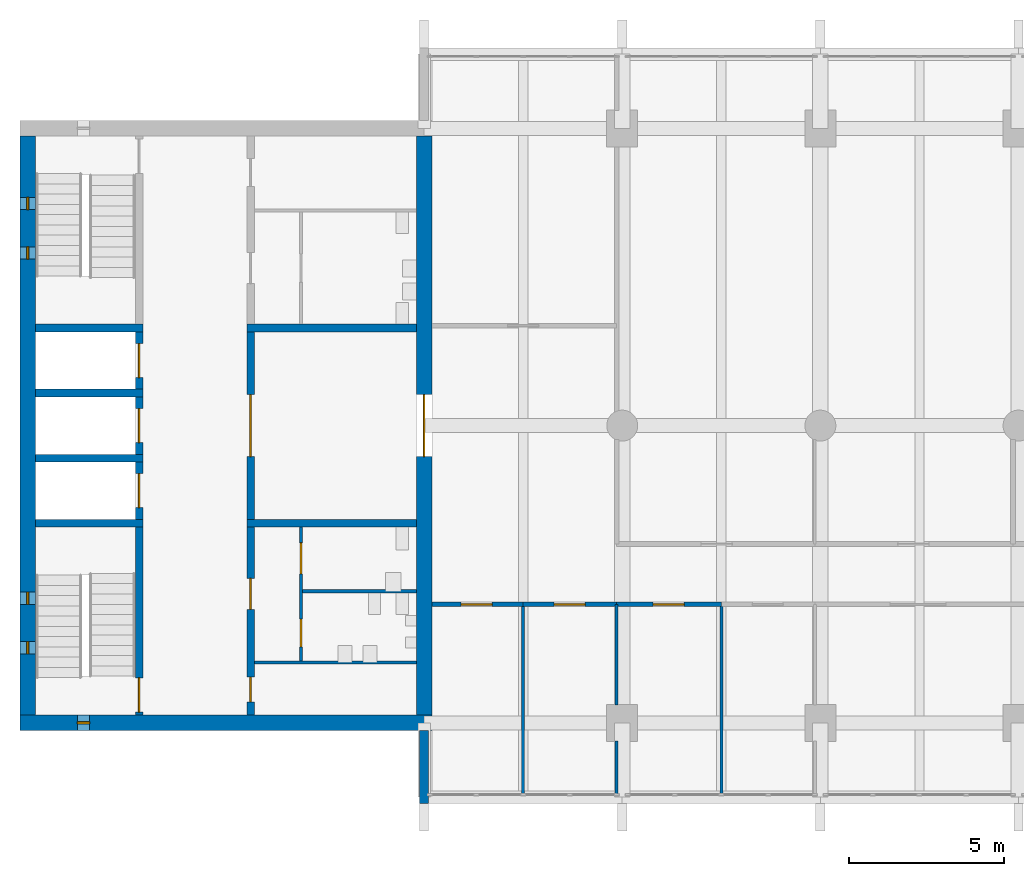
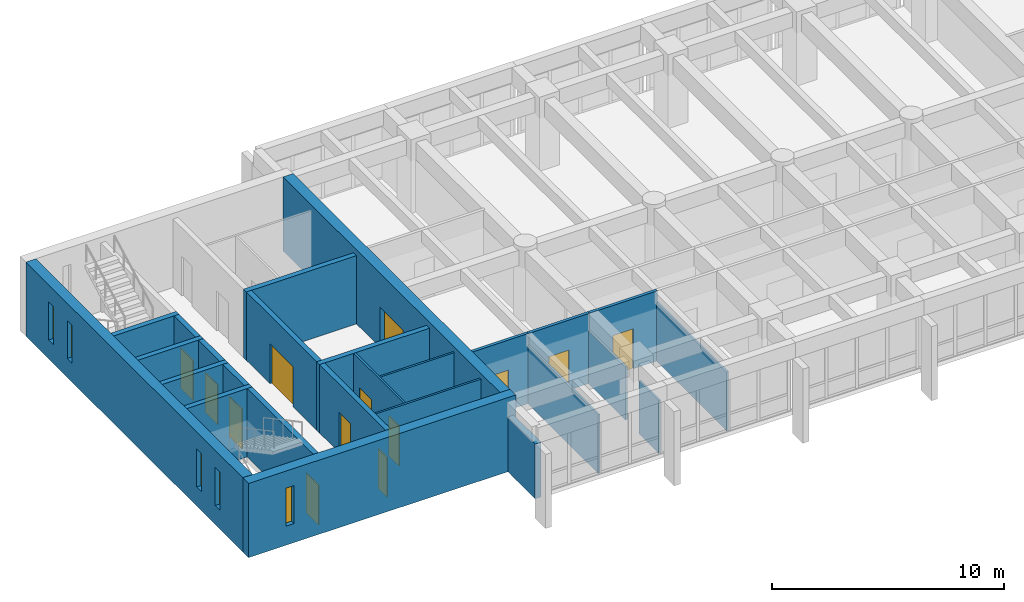
# One storey, part 9 of 15: 26 walls, 13 doors, 5 windows, 18 openings.
"""IFC4 building model written with IfcOpenShell, lengths in metres."""

from ifc_helpers import new_model, si_unit, direction, frame, frame_2d, origin, place, context, subcontext, project, spatial, rectangle, extrude, material, layer, layer_set, type_object, element, fill, save


model = new_model("IFC4")

# Units and contexts
model_context = context("Model", 3, precision=1e-05, world=origin(), true_north=direction((0.0, 1.0)))
body_context = subcontext(model_context, "Body", "Model", "MODEL_VIEW")
ifc_project = project(units=[si_unit("LENGTHUNIT", "METRE"), si_unit("AREAUNIT", "SQUARE_METRE"), si_unit("VOLUMEUNIT", "CUBIC_METRE"), si_unit("PLANEANGLEUNIT", "RADIAN"), si_unit("MASSUNIT", "GRAM", prefix="KILO")], contexts=[model_context])

# Site, building, storey
site_placement = place(None, origin())
site = spatial("IfcSite", under=ifc_project, at=site_placement, CompositionType="ELEMENT")
building_placement = place(site_placement, origin())
building = spatial("IfcBuilding", under=site, at=building_placement, Name="Fogon Plaza Fire Station and Headquarters Tower", CompositionType="ELEMENT")
storey_placement = place(building_placement, frame((0.0, 0.0, 28.800048828125)))
storey = spatial("IfcBuildingStorey", under=building, at=storey_placement, Name="L07", CompositionType="ELEMENT", Elevation=28.800048828125)

# Walls
ifc_material_1 = material(Name="Concrete C40", Category="concrete")
ifc_layer_1 = layer(ifc_material_1, 0.25)
ifc_layer_set_1 = layer_set([ifc_layer_1], Name="Concrete C40")
wall_type_1 = type_object("IfcWallType", Name="Core Wall RC 250", PredefinedType="SOLIDWALL", material=ifc_layer_set_1)
for number, where, z_axis, x_axis, name in (
    (1, (13.050048828125, 40.050048828125, 0.0), (0.0, 0.0, 1.0), (1.0, 0.0, 0.0), "Core A shaft wall"),
    (2, (13.050048828125, 42.14990234375, 0.0), (0.0, 0.0, 1.0), (1.0, 0.0, 0.0), "Core A shaft wall"),
    (3, (13.050048828125, 44.25, 0.0), (0.0, 0.0, 1.0), (1.0, 0.0, 0.0), "Core A shaft wall"),
    (4, (13.050048828125, 46.35009765625, 0.0), (0.0, 0.0, 1.0), (1.0, 0.0, 0.0), "Core A shaft wall"),
):
    element("IfcWall", number, at=place(storey_placement, frame(where, z_axis=z_axis, x_axis=x_axis)), inside=storey, type_object=wall_type_1, Name=name, PredefinedType="SOLIDWALL", context=body_context, shape_type="SweptSolid", body=[
        extrude(rectangle(XDim=3.474853515625, YDim=0.25, at=frame_2d((1.7373046875, 0.0))), origin(), (0.0, 0.0, 1.0), 3.599853515625),
    ])

# Wall, opening, door
wall_1_placement = place(storey_placement, frame((16.39990234375, 33.85009765625, 0.0), z_axis=(0.0, 0.0, 1.0), x_axis=(0.0, 1.0, 0.0)))
wall_1 = element("IfcWall", 5, at=wall_1_placement, inside=storey, type_object=wall_type_1, Name="Core A shaft wall", PredefinedType="SOLIDWALL", context=body_context, shape_type="SweptSolid", body=[
    extrude(rectangle(XDim=6.074951171875, YDim=0.25, at=frame_2d((3.03759765625, 0.0))), origin(), (0.0, 0.0, 1.0), 3.599853515625),
])
opening_1_placement = place(wall_1_placement, frame((0.10009765625, 0.0, 0.0)))
opening_1 = element("IfcOpeningElement", 6, at=opening_1_placement, cuts=wall_1, Name="Opening L07-D01", PredefinedType="OPENING", context=body_context, shape_type="SweptSolid", body=[
    extrude(rectangle(XDim=1.10009765625, YDim=2.10009765625, at=frame_2d((0.550048828125, 1.050048828125))), frame((0.0, 0.135009765625, 0.0), z_axis=(0.0, -1.0, 0.0), x_axis=(1.0, 0.0, 0.0)), (0.0, 0.0, 1.0), 0.27001953125),
])
ifc_material_2 = material(Name="Steel Fire Door Leaf", Category="steel")
door_type_1 = type_object("IfcDoorType", Name="Stair Door Single 1100x2100", OperationType="SINGLE_SWING_LEFT", PredefinedType="DOOR", material=ifc_material_2)
door_1_placement = place(opening_1_placement, origin())
door_1 = element("IfcDoor", 7, at=door_1_placement, inside=storey, type_object=door_type_1, Name="Stair door ST1", OperationType="SINGLE_SWING_LEFT", OverallHeight=2.10009765625, OverallWidth=1.10009765625, PredefinedType="DOOR", context=body_context, shape_type="SweptSolid", body=[
    extrude(rectangle(XDim=1.10009765625, YDim=2.10009765625, at=frame_2d((0.550048828125, 1.050048828125))), frame((0.0, 0.02490234375, 0.0), z_axis=(0.0, -1.0, 0.0), x_axis=(1.0, 0.0, 0.0)), (0.0, 0.0, 1.0), 0.050048828125),
])
fill(opening_1, door_1)

wall_2_placement = place(storey_placement, frame((16.39990234375, 40.175048828125, 0.0), z_axis=(0.0, 0.0, 1.0), x_axis=(0.0, 1.0, 0.0)))
wall_2 = element("IfcWall", 8, at=wall_2_placement, inside=storey, type_object=wall_type_1, Name="Core A shaft wall", PredefinedType="SOLIDWALL", context=body_context, shape_type="SweptSolid", body=[
    extrude(rectangle(XDim=1.849853515625, YDim=0.25, at=frame_2d((0.9248046875, 0.0))), origin(), (0.0, 0.0, 1.0), 3.599853515625),
])
opening_2_placement = place(wall_2_placement, frame((0.375, 0.0, 0.0)))
opening_2 = element("IfcOpeningElement", 9, at=opening_2_placement, cuts=wall_2, Name="Opening L07-D03", PredefinedType="OPENING", context=body_context, shape_type="SweptSolid", body=[
    extrude(rectangle(XDim=1.10009765625, YDim=2.10009765625, at=frame_2d((0.550048828125, 1.050048828125))), frame((0.0, 0.135009765625, 0.0), z_axis=(0.0, -1.0, 0.0), x_axis=(1.0, 0.0, 0.0)), (0.0, 0.0, 1.0), 0.27001953125),
])
ifc_material_3 = material(Name="Stainless Steel", Category="steel")
door_type_2 = type_object("IfcDoorType", Name="Lift Landing Door 1100x2100", OperationType="SLIDING_TO_LEFT", PredefinedType="DOOR", material=ifc_material_3)
door_2_placement = place(opening_2_placement, origin())
door_2 = element("IfcDoor", 10, at=door_2_placement, inside=storey, type_object=door_type_2, Name="Lift LP1 landing door", OperationType="SLIDING_TO_LEFT", OverallHeight=2.10009765625, OverallWidth=1.10009765625, PredefinedType="DOOR", context=body_context, shape_type="SweptSolid", body=[
    extrude(rectangle(XDim=1.10009765625, YDim=2.10009765625, at=frame_2d((0.550048828125, 1.050048828125))), frame((0.0, 0.02490234375, 0.0), z_axis=(0.0, -1.0, 0.0), x_axis=(1.0, 0.0, 0.0)), (0.0, 0.0, 1.0), 0.050048828125),
])
fill(opening_2, door_2)

wall_3_placement = place(storey_placement, frame((16.39990234375, 42.27490234375, 0.0), z_axis=(0.0, 0.0, 1.0), x_axis=(0.0, 1.0, 0.0)))
wall_3 = element("IfcWall", 11, at=wall_3_placement, inside=storey, type_object=wall_type_1, Name="Core A shaft wall", PredefinedType="SOLIDWALL", context=body_context, shape_type="SweptSolid", body=[
    extrude(rectangle(XDim=1.85009765625, YDim=0.25, at=frame_2d((0.925048828125, 0.0))), origin(), (0.0, 0.0, 1.0), 3.599853515625),
])
opening_3_placement = place(wall_3_placement, frame((0.375, 0.0, 0.0)))
opening_3 = element("IfcOpeningElement", 12, at=opening_3_placement, cuts=wall_3, Name="Opening L07-D04", PredefinedType="OPENING", context=body_context, shape_type="SweptSolid", body=[
    extrude(rectangle(XDim=1.10009765625, YDim=2.10009765625, at=frame_2d((0.550048828125, 1.050048828125))), frame((0.0, 0.135009765625, 0.0), z_axis=(0.0, -1.0, 0.0), x_axis=(1.0, 0.0, 0.0)), (0.0, 0.0, 1.0), 0.27001953125),
])
door_3_placement = place(opening_3_placement, origin())
door_3 = element("IfcDoor", 13, at=door_3_placement, inside=storey, type_object=door_type_2, Name="Lift LP2 landing door", OperationType="SLIDING_TO_LEFT", OverallHeight=2.10009765625, OverallWidth=1.10009765625, PredefinedType="DOOR", context=body_context, shape_type="SweptSolid", body=[
    extrude(rectangle(XDim=1.10009765625, YDim=2.10009765625, at=frame_2d((0.550048828125, 1.050048828125))), frame((0.0, 0.02490234375, 0.0), z_axis=(0.0, -1.0, 0.0), x_axis=(1.0, 0.0, 0.0)), (0.0, 0.0, 1.0), 0.050048828125),
])
fill(opening_3, door_3)

wall_4_placement = place(storey_placement, frame((16.39990234375, 44.375, 0.0), z_axis=(0.0, 0.0, 1.0), x_axis=(0.0, 1.0, 0.0)))
wall_4 = element("IfcWall", 14, at=wall_4_placement, inside=storey, type_object=wall_type_1, Name="Core A shaft wall", PredefinedType="SOLIDWALL", context=body_context, shape_type="SweptSolid", body=[
    extrude(rectangle(XDim=1.85009765625, YDim=0.25, at=frame_2d((0.925048828125, 0.0))), origin(), (0.0, 0.0, 1.0), 3.599853515625),
])
opening_4_placement = place(wall_4_placement, frame((0.375, 0.0, 0.0)))
opening_4 = element("IfcOpeningElement", 15, at=opening_4_placement, cuts=wall_4, Name="Opening L07-D05", PredefinedType="OPENING", context=body_context, shape_type="SweptSolid", body=[
    extrude(rectangle(XDim=1.10009765625, YDim=2.10009765625, at=frame_2d((0.550048828125, 1.050048828125))), frame((0.0, 0.135009765625, 0.0), z_axis=(0.0, -1.0, 0.0), x_axis=(1.0, 0.0, 0.0)), (0.0, 0.0, 1.0), 0.27001953125),
])
door_4_placement = place(opening_4_placement, origin())
door_4 = element("IfcDoor", 16, at=door_4_placement, inside=storey, type_object=door_type_2, Name="Lift FL1 landing door", OperationType="SLIDING_TO_LEFT", OverallHeight=2.10009765625, OverallWidth=1.10009765625, PredefinedType="DOOR", context=body_context, shape_type="SweptSolid", body=[
    extrude(rectangle(XDim=1.10009765625, YDim=2.10009765625, at=frame_2d((0.550048828125, 1.050048828125))), frame((0.0, 0.02490234375, 0.0), z_axis=(0.0, -1.0, 0.0), x_axis=(1.0, 0.0, 0.0)), (0.0, 0.0, 1.0), 0.050048828125),
])
fill(opening_4, door_4)

# Wall, openings, doors
wall_5_placement = place(storey_placement, frame((20.0, 33.85009765625, 0.0), z_axis=(0.0, 0.0, 1.0), x_axis=(0.0, 1.0, 0.0)))
wall_5 = element("IfcWall", 17, at=wall_5_placement, inside=storey, type_object=wall_type_1, Name="Core A shaft wall", PredefinedType="SOLIDWALL", context=body_context, shape_type="SweptSolid", body=[
    extrude(rectangle(XDim=6.074951171875, YDim=0.25, at=frame_2d((3.03759765625, 0.0))), origin(), (0.0, 0.0, 1.0), 3.599853515625),
])
opening_5_placement = place(wall_5_placement, frame((0.425048828125, 0.0, 0.0)))
opening_5 = element("IfcOpeningElement", 18, at=opening_5_placement, cuts=wall_5, Name="Opening L07-D08", PredefinedType="OPENING", context=body_context, shape_type="SweptSolid", body=[
    extrude(rectangle(XDim=0.800048828125, YDim=2.10009765625, at=frame_2d((0.39990234375, 1.050048828125))), frame((0.0, 0.135009765625, 0.0), z_axis=(0.0, -1.0, 0.0), x_axis=(1.0, 0.0, 0.0)), (0.0, 0.0, 1.0), 0.27001953125),
])
opening_6_placement = place(wall_5_placement, frame((3.41259765625, 0.0, 0.0)))
opening_6 = element("IfcOpeningElement", 19, at=opening_6_placement, cuts=wall_5, Name="Opening L07-D09", PredefinedType="OPENING", context=body_context, shape_type="SweptSolid", body=[
    extrude(rectangle(XDim=1.0, YDim=2.10009765625, at=frame_2d((0.5, 1.050048828125))), frame((0.0, 0.135009765625, 0.0), z_axis=(0.0, -1.0, 0.0), x_axis=(1.0, 0.0, 0.0)), (0.0, 0.0, 1.0), 0.27001953125),
])
ifc_material_4 = material(Name="Timber Door Leaf", Category="wood")
door_type_3 = type_object("IfcDoorType", Name="Cleaner Store Single 800x2100", OperationType="SINGLE_SWING_LEFT", PredefinedType="DOOR", material=ifc_material_4)
door_5_placement = place(opening_5_placement, frame((0.800048828125, 0.0, 0.0), z_axis=(0.0, 0.0, 1.0), x_axis=(-1.0, 0.0, 0.0)))
door_5 = element("IfcDoor", 20, at=door_5_placement, inside=storey, type_object=door_type_3, Name="Cleaner's store A door", OperationType="SINGLE_SWING_RIGHT", OverallHeight=2.10009765625, OverallWidth=0.800048828125, PredefinedType="DOOR", context=body_context, shape_type="SweptSolid", body=[
    extrude(rectangle(XDim=0.800048828125, YDim=2.10009765625, at=frame_2d((0.39990234375, 1.050048828125))), frame((0.0, 0.02490234375, 0.0), z_axis=(0.0, -1.0, 0.0), x_axis=(1.0, 0.0, 0.0)), (0.0, 0.0, 1.0), 0.050048828125),
])
fill(opening_5, door_5)
ifc_material_5 = material(Name="Timber fire door", Category="wood")
door_type_4 = type_object("IfcDoorType", Name="WC Lobby Single 1000x2100", OperationType="SINGLE_SWING_LEFT", PredefinedType="DOOR", material=ifc_material_5)
door_6_placement = place(opening_6_placement, frame((1.0, 0.0, 0.0), z_axis=(0.0, 0.0, 1.0), x_axis=(-1.0, 0.0, 0.0)))
door_6 = element("IfcDoor", 21, at=door_6_placement, inside=storey, type_object=door_type_4, Name="Men's WC lobby A door", OperationType="SINGLE_SWING_LEFT", OverallHeight=2.10009765625, OverallWidth=1.0, PredefinedType="DOOR", context=body_context, shape_type="SweptSolid", body=[
    extrude(rectangle(XDim=1.0, YDim=2.10009765625, at=frame_2d((0.5, 1.050048828125))), frame((0.0, 0.02490234375, 0.0), z_axis=(0.0, -1.0, 0.0), x_axis=(1.0, 0.0, 0.0)), (0.0, 0.0, 1.0), 0.050048828125),
])
fill(opening_6, door_6)

# Wall, opening, door
wall_6_placement = place(storey_placement, frame((20.0, 40.175048828125, 0.0), z_axis=(0.0, 0.0, 1.0), x_axis=(0.0, 1.0, 0.0)))
wall_6 = element("IfcWall", 22, at=wall_6_placement, inside=storey, type_object=wall_type_1, Name="Core A shaft wall", PredefinedType="SOLIDWALL", context=body_context, shape_type="SweptSolid", body=[
    extrude(rectangle(XDim=6.050048828125, YDim=0.25, at=frame_2d((3.02490234375, 0.0))), origin(), (0.0, 0.0, 1.0), 3.599853515625),
])
opening_7_placement = place(wall_6_placement, frame((2.02490234375, 0.0, 0.0)))
opening_7 = element("IfcOpeningElement", 23, at=opening_7_placement, cuts=wall_6, Name="Opening L07-D06", PredefinedType="OPENING", context=body_context, shape_type="SweptSolid", body=[
    extrude(rectangle(XDim=2.0, YDim=2.10009765625, at=frame_2d((1.0, 1.050048828125))), frame((0.0, 0.135009765625, 0.0), z_axis=(0.0, -1.0, 0.0), x_axis=(1.0, 0.0, 0.0)), (0.0, 0.0, 1.0), 0.27001953125),
])
ifc_material_6 = material(Name="Steel Fire Door Leaf", Category="steel")
door_type_5 = type_object("IfcDoorType", Name="Vestibule Double 2000x2100", OperationType="DOUBLE_DOOR_SINGLE_SWING", PredefinedType="DOOR", material=ifc_material_6)
door_7_placement = place(opening_7_placement, frame((2.0, 0.0, 0.0), z_axis=(0.0, 0.0, 1.0), x_axis=(-1.0, 0.0, 0.0)))
door_7 = element("IfcDoor", 24, at=door_7_placement, inside=storey, type_object=door_type_5, Name="Vestibule A door", OperationType="DOUBLE_DOOR_SINGLE_SWING", OverallHeight=2.10009765625, OverallWidth=2.0, PredefinedType="DOOR", context=body_context, shape_type="SweptSolid", body=[
    extrude(rectangle(XDim=2.0, YDim=2.10009765625, at=frame_2d((1.0, 1.050048828125))), frame((0.0, 0.02490234375, 0.0), z_axis=(0.0, -1.0, 0.0), x_axis=(1.0, 0.0, 0.0)), (0.0, 0.0, 1.0), 0.050048828125),
])
fill(opening_7, door_7)

# Walls
for number, where, z_axis, x_axis, name in (
    (25, (19.875, 40.050048828125, 0.0), (0.0, 0.0, 1.0), (1.0, 0.0, 0.0), "Core A shaft wall"),
    (26, (19.875, 46.35009765625, 0.0), (0.0, 0.0, 1.0), (1.0, 0.0, 0.0), "Core A shaft wall"),
):
    element("IfcWall", number, at=place(storey_placement, frame(where, z_axis=z_axis, x_axis=x_axis)), inside=storey, type_object=wall_type_1, Name=name, PredefinedType="SOLIDWALL", context=body_context, shape_type="SweptSolid", body=[
        extrude(rectangle(XDim=5.47509765625, YDim=0.25, at=frame_2d((2.737548828125, 0.0))), origin(), (0.0, 0.0, 1.0), 3.599853515625),
    ])
ifc_material_7 = material(Name="Concrete C40", Category="concrete")
ifc_layer_2 = layer(ifc_material_7, 0.300048828125)
ifc_layer_set_2 = layer_set([ifc_layer_2], Name="Concrete C40")
wall_type_2 = type_object("IfcWallType", Name="Fair-faced RC Return Panel 300", PredefinedType="SOLIDWALL", material=ifc_layer_set_2)
wall_7_placement = place(storey_placement, frame((25.60009765625, 31.0, 0.0), z_axis=(0.0, 0.0, 1.0), x_axis=(0.0, 1.0, 0.0)))
element("IfcWall", 27, at=wall_7_placement, inside=storey, type_object=wall_type_2, Name="Bar end return WS L07", PredefinedType="SOLIDWALL", context=body_context, shape_type="SweptSolid", body=[
    extrude(rectangle(XDim=2.35009765625, YDim=0.300048828125, at=frame_2d((1.175048828125, 0.0))), origin(), (0.0, 0.0, 1.0), 2.8798828125),
])
ifc_material_8 = material(Name="Blockwork", Category="masonry")
ifc_layer_3 = layer(ifc_material_8, 0.10009765625)
ifc_layer_set_3 = layer_set([ifc_layer_3], Name="Blockwork")
wall_type_3 = type_object("IfcWallType", Name="Partition Blockwork 100", PredefinedType="PARTITIONING", material=ifc_layer_set_3)
wall_8_placement = place(storey_placement, frame((20.125, 35.550048828125, 0.0), z_axis=(0.0, 0.0, 1.0), x_axis=(1.0, 0.0, 0.0)))
element("IfcWall", 28, at=wall_8_placement, inside=storey, type_object=wall_type_3, Name="Cleaner's store partition", PredefinedType="PARTITIONING", context=body_context, shape_type="SweptSolid", body=[
    extrude(rectangle(XDim=5.22509765625, YDim=0.10009765625, at=frame_2d((2.612548828125, 0.0))), origin(), (0.0, 0.0, 1.0), 3.599853515625),
])

# Wall, openings, doors
wall_9_placement = place(storey_placement, frame((21.625, 35.60009765625, 0.0), z_axis=(0.0, 0.0, 1.0), x_axis=(0.0, 1.0, 0.0)))
wall_9 = element("IfcWall", 29, at=wall_9_placement, inside=storey, type_object=wall_type_3, Name="WC block partition", PredefinedType="PARTITIONING", context=body_context, shape_type="SweptSolid", body=[
    extrude(rectangle(XDim=4.324951171875, YDim=0.10009765625, at=frame_2d((2.16259765625, 0.0))), origin(), (0.0, 0.0, 1.0), 3.599853515625),
])
opening_8_placement = place(wall_9_placement, frame((0.449951171875, 0.0, 0.0)))
opening_8 = element("IfcOpeningElement", 30, at=opening_8_placement, cuts=wall_9, Name="Opening L07-D10", PredefinedType="OPENING", context=body_context, shape_type="SweptSolid", body=[
    extrude(rectangle(XDim=0.89990234375, YDim=2.10009765625, at=frame_2d((0.449951171875, 1.050048828125))), frame((0.0, 0.06005859375, 0.0), z_axis=(0.0, -1.0, 0.0), x_axis=(1.0, 0.0, 0.0)), (0.0, 0.0, 1.0), 0.1201171875),
])
opening_9_placement = place(wall_9_placement, frame((2.8125, 0.0, 0.0)))
opening_9 = element("IfcOpeningElement", 31, at=opening_9_placement, cuts=wall_9, Name="Opening L07-D11", PredefinedType="OPENING", context=body_context, shape_type="SweptSolid", body=[
    extrude(rectangle(XDim=1.0, YDim=2.10009765625, at=frame_2d((0.5, 1.050048828125))), frame((0.0, 0.06005859375, 0.0), z_axis=(0.0, -1.0, 0.0), x_axis=(1.0, 0.0, 0.0)), (0.0, 0.0, 1.0), 0.1201171875),
])
ifc_material_9 = material(Name="Timber Door Leaf", Category="wood")
door_type_6 = type_object("IfcDoorType", Name="Accessible WC Single 1000x2100", OperationType="SINGLE_SWING_LEFT", PredefinedType="DOOR", material=ifc_material_9)
door_8_placement = place(opening_9_placement, frame((1.0, 0.0, 0.0), z_axis=(0.0, 0.0, 1.0), x_axis=(-1.0, 0.0, 0.0)))
door_8 = element("IfcDoor", 32, at=door_8_placement, inside=storey, type_object=door_type_6, Name="Accessible WC A door", OperationType="SINGLE_SWING_LEFT", OverallHeight=2.10009765625, OverallWidth=1.0, PredefinedType="DOOR", context=body_context, shape_type="SweptSolid", body=[
    extrude(rectangle(XDim=1.0, YDim=2.10009765625, at=frame_2d((0.5, 1.050048828125))), frame((0.0, 0.02490234375, 0.0), z_axis=(0.0, -1.0, 0.0), x_axis=(1.0, 0.0, 0.0)), (0.0, 0.0, 1.0), 0.050048828125),
])
fill(opening_9, door_8)
ifc_material_10 = material(Name="Timber Door Leaf", Category="wood")
door_type_7 = type_object("IfcDoorType", Name="WC Single 900x2100", OperationType="SINGLE_SWING_LEFT", PredefinedType="DOOR", material=ifc_material_10)
door_9_placement = place(opening_8_placement, frame((0.89990234375, 0.0, 0.0), z_axis=(0.0, 0.0, 1.0), x_axis=(-1.0, 0.0, 0.0)))
door_9 = element("IfcDoor", 33, at=door_9_placement, inside=storey, type_object=door_type_7, Name="Men's WC A door", OperationType="SINGLE_SWING_RIGHT", OverallHeight=2.10009765625, OverallWidth=0.89990234375, PredefinedType="DOOR", context=body_context, shape_type="SweptSolid", body=[
    extrude(rectangle(XDim=0.89990234375, YDim=2.10009765625, at=frame_2d((0.449951171875, 1.050048828125))), frame((0.0, 0.02490234375, 0.0), z_axis=(0.0, -1.0, 0.0), x_axis=(1.0, 0.0, 0.0)), (0.0, 0.0, 1.0), 0.050048828125),
])
fill(opening_8, door_9)

# Wall
wall_10_placement = place(storey_placement, frame((21.675048828125, 37.85009765625, 0.0), z_axis=(0.0, 0.0, 1.0), x_axis=(1.0, 0.0, 0.0)))
element("IfcWall", 34, at=wall_10_placement, inside=storey, type_object=wall_type_3, Name="WC block partition", PredefinedType="PARTITIONING", context=body_context, shape_type="SweptSolid", body=[
    extrude(rectangle(XDim=3.675048828125, YDim=0.10009765625, at=frame_2d((1.83740234375, 0.0))), origin(), (0.0, 0.0, 1.0), 3.599853515625),
])

# Wall, opening, window
ifc_material_11 = material(Name="Concrete C40", Category="concrete")
ifc_layer_4 = layer(ifc_material_11, 0.5)
ifc_layer_set_4 = layer_set([ifc_layer_4], Name="Concrete C40")
wall_type_4 = type_object("IfcWallType", Name="Shear wall 500 SW50", PredefinedType="SHEAR", material=ifc_layer_set_4)
wall_11_placement = place(storey_placement, frame((12.550048828125, 33.60009765625, 0.0), z_axis=(0.0, 0.0, 1.0), x_axis=(1.0, 0.0, 0.0)))
wall_11 = element("IfcWall", 35, at=wall_11_placement, inside=storey, type_object=wall_type_4, Name="wall-coreA-S-L07", PredefinedType="SHEAR", context=body_context, shape_type="SweptSolid", body=[
    extrude(rectangle(XDim=13.300048828125, YDim=0.5, at=frame_2d((6.64990234375, 0.0))), origin(), (0.0, 0.0, 1.0), 3.89990234375),
])
opening_10_placement = place(wall_11_placement, frame((1.85009765625, 0.0, 1.0)))
opening_10 = element("IfcOpeningElement", 36, at=opening_10_placement, cuts=wall_11, Name="Opening WS1", PredefinedType="OPENING", context=body_context, shape_type="SweptSolid", body=[
    extrude(rectangle(XDim=0.39990234375, YDim=2.0, at=frame_2d((0.199951171875, 1.0))), frame((0.0, 0.260009765625, 0.0), z_axis=(0.0, -1.0, 0.0), x_axis=(1.0, 0.0, 0.0)), (0.0, 0.0, 1.0), 0.52001953125),
])
ifc_material_12 = material(Name="Aluminium framed double glazing", Category="aluminium")
window_type = type_object("IfcWindowType", Name="Slit Window WS1 400x2000", PartitioningType="SINGLE_PANEL", PredefinedType="WINDOW", material=ifc_material_12)
window_1_placement = place(opening_10_placement, origin())
window_1 = element("IfcWindow", 37, at=window_1_placement, inside=storey, type_object=window_type, Name="Slit window A5 L07", OverallHeight=2.0, OverallWidth=0.39990234375, PartitioningType="SINGLE_PANEL", PredefinedType="WINDOW", context=body_context, shape_type="SweptSolid", body=[
    extrude(rectangle(XDim=0.39990234375, YDim=2.0, at=frame_2d((0.199951171875, 1.0))), frame((0.0, 0.030029296875, 0.0), z_axis=(0.0, -1.0, 0.0), x_axis=(1.0, 0.0, 0.0)), (0.0, 0.0, 1.0), 0.06005859375),
])
fill(opening_10, window_1)

# Wall, opening, door
wall_12_placement = place(storey_placement, frame((25.60009765625, 33.85009765625, 0.0), z_axis=(0.0, 0.0, 1.0), x_axis=(0.0, 1.0, 0.0)))
wall_12 = element("IfcWall", 38, at=wall_12_placement, inside=storey, type_object=wall_type_4, Name="wall-coreA-E-L07", PredefinedType="SHEAR", context=body_context, shape_type="SweptSolid", body=[
    extrude(rectangle(XDim=18.699951171875, YDim=0.5, at=frame_2d((9.35009765625, 0.0))), origin(), (0.0, 0.0, 1.0), 3.89990234375),
])
opening_11_placement = place(wall_12_placement, frame((8.35009765625, 0.0, 0.0)))
opening_11 = element("IfcOpeningElement", 39, at=opening_11_placement, cuts=wall_12, Name="Opening L07-D07", PredefinedType="OPENING", context=body_context, shape_type="SweptSolid", body=[
    extrude(rectangle(XDim=2.0, YDim=2.10009765625, at=frame_2d((1.0, 1.050048828125))), frame((0.0, 0.260009765625, 0.0), z_axis=(0.0, -1.0, 0.0), x_axis=(1.0, 0.0, 0.0)), (0.0, 0.0, 1.0), 0.52001953125),
])
door_10_placement = place(opening_11_placement, origin())
door_10 = element("IfcDoor", 40, at=door_10_placement, inside=storey, type_object=door_type_5, Name="Vestibule A door to the office zone", OperationType="DOUBLE_DOOR_SINGLE_SWING", OverallHeight=2.10009765625, OverallWidth=2.0, PredefinedType="DOOR", context=body_context, shape_type="SweptSolid", body=[
    extrude(rectangle(XDim=2.0, YDim=2.10009765625, at=frame_2d((1.0, 1.050048828125))), frame((0.0, 0.02490234375, 0.0), z_axis=(0.0, -1.0, 0.0), x_axis=(1.0, 0.0, 0.0)), (0.0, 0.0, 1.0), 0.050048828125),
])
fill(opening_11, door_10)

# Wall, openings, windows
wall_13_placement = place(storey_placement, frame((12.800048828125, 33.85009765625, 0.0), z_axis=(0.0, 0.0, 1.0), x_axis=(0.0, 1.0, 0.0)))
wall_13 = element("IfcWall", 41, at=wall_13_placement, inside=storey, type_object=wall_type_4, Name="wall-coreA-W-L07", PredefinedType="SHEAR", context=body_context, shape_type="SweptSolid", body=[
    extrude(rectangle(XDim=18.699951171875, YDim=0.5, at=frame_2d((9.35009765625, 0.0))), origin(), (0.0, 0.0, 1.0), 3.89990234375),
])
opening_12_placement = place(wall_13_placement, frame((1.97509765625, 0.0, 1.0)))
opening_12 = element("IfcOpeningElement", 42, at=opening_12_placement, cuts=wall_13, Name="Opening WS1", PredefinedType="OPENING", context=body_context, shape_type="SweptSolid", body=[
    extrude(rectangle(XDim=0.39990234375, YDim=2.0, at=frame_2d((0.199951171875, 1.0))), frame((0.0, 0.260009765625, 0.0), z_axis=(0.0, -1.0, 0.0), x_axis=(1.0, 0.0, 0.0)), (0.0, 0.0, 1.0), 0.52001953125),
])
opening_13_placement = place(wall_13_placement, frame((3.574951171875, 0.0, 1.0)))
opening_13 = element("IfcOpeningElement", 43, at=opening_13_placement, cuts=wall_13, Name="Opening WS1", PredefinedType="OPENING", context=body_context, shape_type="SweptSolid", body=[
    extrude(rectangle(XDim=0.39990234375, YDim=2.0, at=frame_2d((0.199951171875, 1.0))), frame((0.0, 0.260009765625, 0.0), z_axis=(0.0, -1.0, 0.0), x_axis=(1.0, 0.0, 0.0)), (0.0, 0.0, 1.0), 0.52001953125),
])
opening_14_placement = place(wall_13_placement, frame((14.72509765625, 0.0, 1.0)))
opening_14 = element("IfcOpeningElement", 44, at=opening_14_placement, cuts=wall_13, Name="Opening WS1", PredefinedType="OPENING", context=body_context, shape_type="SweptSolid", body=[
    extrude(rectangle(XDim=0.39990234375, YDim=2.0, at=frame_2d((0.199951171875, 1.0))), frame((0.0, 0.260009765625, 0.0), z_axis=(0.0, -1.0, 0.0), x_axis=(1.0, 0.0, 0.0)), (0.0, 0.0, 1.0), 0.52001953125),
])
opening_15_placement = place(wall_13_placement, frame((16.324951171875, 0.0, 1.0)))
opening_15 = element("IfcOpeningElement", 45, at=opening_15_placement, cuts=wall_13, Name="Opening WS1", PredefinedType="OPENING", context=body_context, shape_type="SweptSolid", body=[
    extrude(rectangle(XDim=0.39990234375, YDim=2.0, at=frame_2d((0.199951171875, 1.0))), frame((0.0, 0.260009765625, 0.0), z_axis=(0.0, -1.0, 0.0), x_axis=(1.0, 0.0, 0.0)), (0.0, 0.0, 1.0), 0.52001953125),
])
window_2_placement = place(opening_12_placement, origin())
window_2 = element("IfcWindow", 46, at=window_2_placement, inside=storey, type_object=window_type, Name="Slit window A1 L07", OverallHeight=2.0, OverallWidth=0.39990234375, PartitioningType="SINGLE_PANEL", PredefinedType="WINDOW", context=body_context, shape_type="SweptSolid", body=[
    extrude(rectangle(XDim=0.39990234375, YDim=2.0, at=frame_2d((0.199951171875, 1.0))), frame((0.0, 0.030029296875, 0.0), z_axis=(0.0, -1.0, 0.0), x_axis=(1.0, 0.0, 0.0)), (0.0, 0.0, 1.0), 0.06005859375),
])
fill(opening_12, window_2)
window_3_placement = place(opening_13_placement, origin())
window_3 = element("IfcWindow", 47, at=window_3_placement, inside=storey, type_object=window_type, Name="Slit window A2 L07", OverallHeight=2.0, OverallWidth=0.39990234375, PartitioningType="SINGLE_PANEL", PredefinedType="WINDOW", context=body_context, shape_type="SweptSolid", body=[
    extrude(rectangle(XDim=0.39990234375, YDim=2.0, at=frame_2d((0.199951171875, 1.0))), frame((0.0, 0.030029296875, 0.0), z_axis=(0.0, -1.0, 0.0), x_axis=(1.0, 0.0, 0.0)), (0.0, 0.0, 1.0), 0.06005859375),
])
fill(opening_13, window_3)
window_4_placement = place(opening_14_placement, origin())
window_4 = element("IfcWindow", 48, at=window_4_placement, inside=storey, type_object=window_type, Name="Slit window A3 L07", OverallHeight=2.0, OverallWidth=0.39990234375, PartitioningType="SINGLE_PANEL", PredefinedType="WINDOW", context=body_context, shape_type="SweptSolid", body=[
    extrude(rectangle(XDim=0.39990234375, YDim=2.0, at=frame_2d((0.199951171875, 1.0))), frame((0.0, 0.030029296875, 0.0), z_axis=(0.0, -1.0, 0.0), x_axis=(1.0, 0.0, 0.0)), (0.0, 0.0, 1.0), 0.06005859375),
])
fill(opening_14, window_4)
window_5_placement = place(opening_15_placement, origin())
window_5 = element("IfcWindow", 49, at=window_5_placement, inside=storey, type_object=window_type, Name="Slit window A4 L07", OverallHeight=2.0, OverallWidth=0.39990234375, PartitioningType="SINGLE_PANEL", PredefinedType="WINDOW", context=body_context, shape_type="SweptSolid", body=[
    extrude(rectangle(XDim=0.39990234375, YDim=2.0, at=frame_2d((0.199951171875, 1.0))), frame((0.0, 0.030029296875, 0.0), z_axis=(0.0, -1.0, 0.0), x_axis=(1.0, 0.0, 0.0)), (0.0, 0.0, 1.0), 0.06005859375),
])
fill(opening_15, window_5)

# Wall, opening, door
ifc_material_13 = material(Name="Gypsum board on steel stud", Category="steel")
ifc_layer_5 = layer(ifc_material_13, 0.14990234375)
ifc_layer_set_5 = layer_set([ifc_layer_5], Name="Gypsum board on steel stud")
wall_type_5 = type_object("IfcWallType", Name="Tower corridor partition 150 EI 60", PredefinedType="PARTITIONING", material=ifc_layer_set_5)
wall_14_placement = place(storey_placement, frame((25.85009765625, 37.425048828125, 0.0), z_axis=(0.0, 0.0, 1.0), x_axis=(1.0, 0.0, 0.0)))
wall_14 = element("IfcWall", 50, at=wall_14_placement, inside=storey, type_object=wall_type_5, Name="part-L07-01", PredefinedType="PARTITIONING", context=body_context, shape_type="SweptSolid", body=[
    extrude(rectangle(XDim=2.949951171875, YDim=0.14990234375, at=frame_2d((1.47509765625, 0.0))), origin(), (0.0, 0.0, 1.0), 3.679931640625),
])
opening_16_placement = place(wall_14_placement, frame((0.949951171875, 0.0, 0.0)))
opening_16 = element("IfcOpeningElement", 51, at=opening_16_placement, cuts=wall_14, Name="Opening L07-D29", PredefinedType="OPENING", context=body_context, shape_type="SweptSolid", body=[
    extrude(rectangle(XDim=1.0, YDim=2.10009765625, at=frame_2d((0.5, 1.050048828125))), frame((0.0, 0.0849609375, 0.0), z_axis=(0.0, -1.0, 0.0), x_axis=(1.0, 0.0, 0.0)), (0.0, 0.0, 1.0), 0.169921875),
])
ifc_material_14 = material(Name="Timber fire door", Category="wood")
door_type_8 = type_object("IfcDoorType", Name="Tower fire door single 1000 EI 20", OperationType="SINGLE_SWING_LEFT", PredefinedType="DOOR", material=ifc_material_14)
door_11_placement = place(opening_16_placement, frame((1.0, 0.0, 0.0), z_axis=(0.0, 0.0, 1.0), x_axis=(-1.0, 0.0, 0.0)))
door_11 = element("IfcDoor", 52, at=door_11_placement, inside=storey, type_object=door_type_8, Name="door-L07-01", OperationType="SINGLE_SWING_LEFT", OverallHeight=2.10009765625, OverallWidth=1.0, PredefinedType="DOOR", context=body_context, shape_type="SweptSolid", body=[
    extrude(rectangle(XDim=1.0, YDim=2.10009765625, at=frame_2d((0.5, 1.050048828125))), frame((0.0, 0.02490234375, 0.0), z_axis=(0.0, -1.0, 0.0), x_axis=(1.0, 0.0, 0.0)), (0.0, 0.0, 1.0), 0.050048828125),
])
fill(opening_16, door_11)

wall_15_placement = place(storey_placement, frame((28.800048828125, 37.425048828125, 0.0), z_axis=(0.0, 0.0, 1.0), x_axis=(1.0, 0.0, 0.0)))
wall_15 = element("IfcWall", 53, at=wall_15_placement, inside=storey, type_object=wall_type_5, Name="part-L07-02", PredefinedType="PARTITIONING", context=body_context, shape_type="SweptSolid", body=[
    extrude(rectangle(XDim=3.02001953125, YDim=0.14990234375, at=frame_2d((1.510009765625, 0.0))), origin(), (0.0, 0.0, 1.0), 3.679931640625),
])
opening_17_placement = place(wall_15_placement, frame((1.0, 0.0, 0.0)))
opening_17 = element("IfcOpeningElement", 54, at=opening_17_placement, cuts=wall_15, Name="Opening L07-D30", PredefinedType="OPENING", context=body_context, shape_type="SweptSolid", body=[
    extrude(rectangle(XDim=1.0, YDim=2.10009765625, at=frame_2d((0.5, 1.050048828125))), frame((0.0, 0.0849609375, 0.0), z_axis=(0.0, -1.0, 0.0), x_axis=(1.0, 0.0, 0.0)), (0.0, 0.0, 1.0), 0.169921875),
])
door_12_placement = place(opening_17_placement, frame((1.0, 0.0, 0.0), z_axis=(0.0, 0.0, 1.0), x_axis=(-1.0, 0.0, 0.0)))
door_12 = element("IfcDoor", 55, at=door_12_placement, inside=storey, type_object=door_type_8, Name="door-L07-02", OperationType="SINGLE_SWING_RIGHT", OverallHeight=2.10009765625, OverallWidth=1.0, PredefinedType="DOOR", context=body_context, shape_type="SweptSolid", body=[
    extrude(rectangle(XDim=1.0, YDim=2.10009765625, at=frame_2d((0.5, 1.050048828125))), frame((0.0, 0.02490234375, 0.0), z_axis=(0.0, -1.0, 0.0), x_axis=(1.0, 0.0, 0.0)), (0.0, 0.0, 1.0), 0.050048828125),
])
fill(opening_17, door_12)

wall_16_placement = place(storey_placement, frame((31.820068359375, 37.425048828125, 0.0), z_axis=(0.0, 0.0, 1.0), x_axis=(1.0, 0.0, 0.0)))
wall_16 = element("IfcWall", 56, at=wall_16_placement, inside=storey, type_object=wall_type_5, Name="part-L07-03", PredefinedType="PARTITIONING", context=body_context, shape_type="SweptSolid", body=[
    extrude(rectangle(XDim=3.3798828125, YDim=0.14990234375, at=frame_2d((1.68994140625, 0.0))), origin(), (0.0, 0.0, 1.0), 3.679931640625),
])
opening_18_placement = place(wall_16_placement, frame((1.179931640625, 0.0, 0.0)))
opening_18 = element("IfcOpeningElement", 57, at=opening_18_placement, cuts=wall_16, Name="Opening L07-D31", PredefinedType="OPENING", context=body_context, shape_type="SweptSolid", body=[
    extrude(rectangle(XDim=1.0, YDim=2.10009765625, at=frame_2d((0.5, 1.050048828125))), frame((0.0, 0.0849609375, 0.0), z_axis=(0.0, -1.0, 0.0), x_axis=(1.0, 0.0, 0.0)), (0.0, 0.0, 1.0), 0.169921875),
])
door_13_placement = place(opening_18_placement, frame((1.0, 0.0, 0.0), z_axis=(0.0, 0.0, 1.0), x_axis=(-1.0, 0.0, 0.0)))
door_13 = element("IfcDoor", 58, at=door_13_placement, inside=storey, type_object=door_type_8, Name="door-L07-03", OperationType="SINGLE_SWING_LEFT", OverallHeight=2.10009765625, OverallWidth=1.0, PredefinedType="DOOR", context=body_context, shape_type="SweptSolid", body=[
    extrude(rectangle(XDim=1.0, YDim=2.10009765625, at=frame_2d((0.5, 1.050048828125))), frame((0.0, 0.02490234375, 0.0), z_axis=(0.0, -1.0, 0.0), x_axis=(1.0, 0.0, 0.0)), (0.0, 0.0, 1.0), 0.050048828125),
])
fill(opening_18, door_13)

# Walls
ifc_material_15 = material(Name="Gypsum board on steel stud", Category="steel")
ifc_layer_6 = layer(ifc_material_15, 0.10009765625)
ifc_layer_set_6 = layer_set([ifc_layer_6], Name="Gypsum board on steel stud")
wall_type_6 = type_object("IfcWallType", Name="Tower office partition 100 Beam Head 600", PredefinedType="PARTITIONING", material=ifc_layer_set_6)
for number, where, z_axis, x_axis, name in (
    (59, (28.800048828125, 31.300048828125, 0.0), (0.0, 0.0, 1.0), (0.0, 1.0, 0.0), "part-L07-08"),
    (60, (35.199951171875, 31.300048828125, 0.0), (0.0, 0.0, 1.0), (0.0, 1.0, 0.0), "part-L07-11"),
):
    element("IfcWall", number, at=place(storey_placement, frame(where, z_axis=z_axis, x_axis=x_axis)), inside=storey, type_object=wall_type_6, Name=name, PredefinedType="PARTITIONING", context=body_context, shape_type="SweptSolid", body=[
        extrude(rectangle(XDim=6.125, YDim=0.10009765625, at=frame_2d((3.0625, 0.0))), origin(), (0.0, 0.0, 1.0), 3.079833984375),
    ])
ifc_material_16 = material(Name="Gypsum board on steel stud", Category="steel")
ifc_layer_7 = layer(ifc_material_16, 0.10009765625)
ifc_layer_set_7 = layer_set([ifc_layer_7], Name="Gypsum board on steel stud")
wall_type_7 = type_object("IfcWallType", Name="Tower office partition 100 Beam Head 900", PredefinedType="PARTITIONING", material=ifc_layer_set_7)
wall_17_placement = place(storey_placement, frame((31.820068359375, 31.300048828125, 0.0), z_axis=(0.0, 0.0, 1.0), x_axis=(0.0, 1.0, 0.0)))
element("IfcWall", 61, at=wall_17_placement, inside=storey, type_object=wall_type_7, Name="part-L07-09", PredefinedType="PARTITIONING", context=body_context, shape_type="SweptSolid", body=[
    extrude(rectangle(XDim=1.719970703125, YDim=0.10009765625, at=frame_2d((0.85986328125, 0.0))), origin(), (0.0, 0.0, 1.0), 2.780029296875),
])
wall_18_placement = place(storey_placement, frame((31.820068359375, 34.179931640625, 0.0), z_axis=(0.0, 0.0, 1.0), x_axis=(0.0, 1.0, 0.0)))
element("IfcWall", 62, at=wall_18_placement, inside=storey, type_object=wall_type_7, Name="part-L07-10", PredefinedType="PARTITIONING", context=body_context, shape_type="SweptSolid", body=[
    extrude(rectangle(XDim=3.2451171875, YDim=0.10009765625, at=frame_2d((1.62255859375, 0.0))), origin(), (0.0, 0.0, 1.0), 2.780029296875),
])

save(model, "model.ifc")
